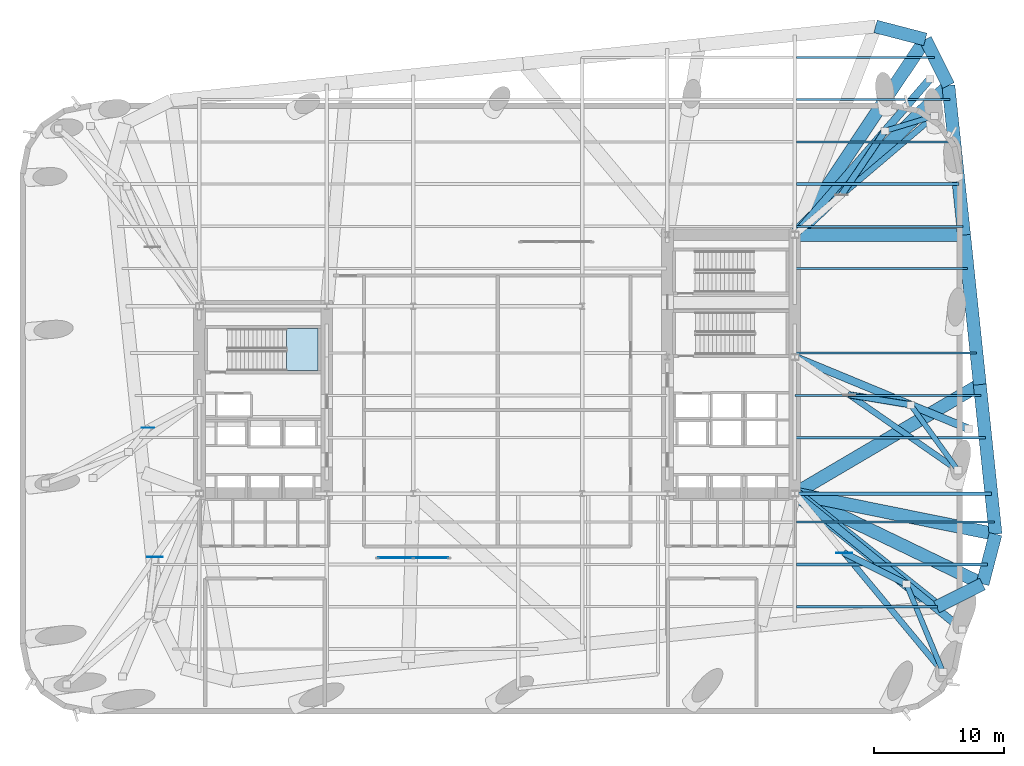
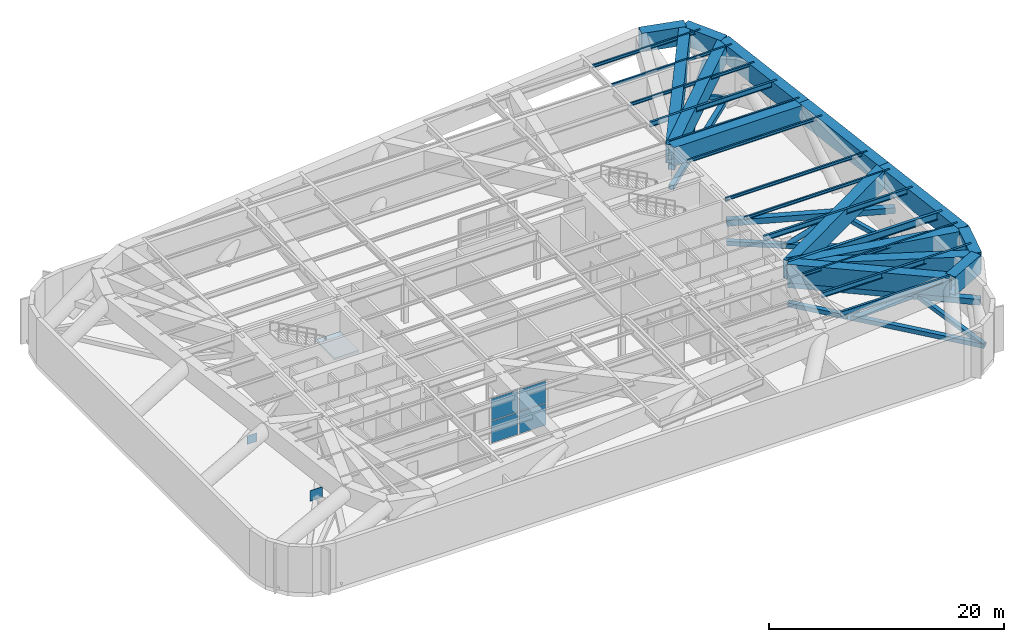
# One storey, part 6 of 16: 27 beams, 12 members, 7 plates, 1 slab, 2 elements without a shape of their own.
"""IFC4 building model written with IfcOpenShell, lengths in metres."""

from ifc_helpers import new_model, si_unit, direction, frame, origin, origin_2d, place, context, subcontext, project, spatial, polyline, rectangle, hollow_rectangle, hollow_circle, i_section, outline, extrude, material, layer, layer_set, material_profile, profile_set, type_object, element, aggregate, save


model = new_model("IFC4")

# Units and contexts
model_context = context("Model", 3, precision=1e-05, world=origin(), true_north=direction((0.0, 1.0)))
body_context = subcontext(model_context, "Body", "Model", "MODEL_VIEW")
ifc_project = project(units=[si_unit("LENGTHUNIT", "METRE"), si_unit("AREAUNIT", "SQUARE_METRE"), si_unit("VOLUMEUNIT", "CUBIC_METRE"), si_unit("PLANEANGLEUNIT", "RADIAN"), si_unit("MASSUNIT", "GRAM", prefix="KILO")], contexts=[model_context])

# Site, building, storey
site_placement = place(None, origin())
site = spatial("IfcSite", under=ifc_project, at=site_placement, CompositionType="ELEMENT")
building_placement = place(site_placement, origin())
building = spatial("IfcBuilding", under=site, at=building_placement, Name="Kolvaren Arena Tower", CompositionType="ELEMENT")
storey_placement = place(building_placement, frame((0.0, 0.0, 94.5)))
storey = spatial("IfcBuildingStorey", under=building, at=storey_placement, Name="L21", CompositionType="ELEMENT", Elevation=94.5)

# Beams
ifc_material_1 = material(Name="Steel CSA G40.21 350W", Category="steel")
ifc_material_profile_1 = material_profile(ifc_material_1, i_section(OverallWidth=0.2119140625, OverallDepth=0.54296875, WebThickness=0.01318359375, FlangeThickness=0.0244140625, FilletRadius=0.013916015625, at=origin_2d()), Name="W530x150")
ifc_profile_set_1 = profile_set([ifc_material_profile_1], Name="Steel CSA G40.21 350W")
beam_type_1 = type_object("IfcBeamType", Name="BEAM-F1", PredefinedType="BEAM", material=ifc_profile_set_1)
beam_1_placement = place(storey_placement, frame((60.485107421875, 10.75, 4.478515625), z_axis=(1.0, 0.0, 0.0), x_axis=(0.0, 1.0, 0.0)))
element("IfcBeam", 1, at=beam_1_placement, inside=storey, type_object=beam_type_1, Name="Composite Floor Beam (L21)", PredefinedType="BEAM", context=body_context, shape_type="SweptSolid", body=[
    extrude(i_section(OverallWidth=0.2119140625, OverallDepth=0.54296875, WebThickness=0.01318359375, FlangeThickness=0.0244140625, FilletRadius=0.013916015625, at=origin_2d()), origin(), (0.0, 0.0, 1.0), 10.819580078125),
])
beam_2_placement = place(storey_placement, frame((60.485107421875, 14.0, 4.478515625), z_axis=(1.0, 0.0, 0.0), x_axis=(0.0, 1.0, 0.0)))
element("IfcBeam", 2, at=beam_2_placement, inside=storey, type_object=beam_type_1, Name="Composite Floor Beam (L21)", PredefinedType="BEAM", context=body_context, shape_type="SweptSolid", body=[
    extrude(i_section(OverallWidth=0.2119140625, OverallDepth=0.54296875, WebThickness=0.01318359375, FlangeThickness=0.0244140625, FilletRadius=0.013916015625, at=origin_2d()), origin(), (0.0, 0.0, 1.0), 14.69677734375),
])
beam_3_placement = place(storey_placement, frame((60.3701171875, 23.75, 4.478515625), z_axis=(1.0, 0.0, 0.0), x_axis=(0.0, 1.0, 0.0)))
element("IfcBeam", 3, at=beam_3_placement, inside=storey, type_object=beam_type_1, Name="Composite Floor Beam (L21)", PredefinedType="BEAM", context=body_context, shape_type="SweptSolid", body=[
    extrude(i_section(OverallWidth=0.2119140625, OverallDepth=0.54296875, WebThickness=0.01318359375, FlangeThickness=0.0244140625, FilletRadius=0.013916015625, at=origin_2d()), origin(), (0.0, 0.0, 1.0), 14.635986328125),
])
beam_4_placement = place(storey_placement, frame((60.485107421875, 43.25, 4.478515625), z_axis=(1.0, 0.0, 0.0), x_axis=(0.0, 1.0, 0.0)))
element("IfcBeam", 4, at=beam_4_placement, inside=storey, type_object=beam_type_1, Name="Composite Floor Beam (L21)", PredefinedType="BEAM", context=body_context, shape_type="SweptSolid", body=[
    extrude(i_section(OverallWidth=0.2119140625, OverallDepth=0.54296875, WebThickness=0.01318359375, FlangeThickness=0.0244140625, FilletRadius=0.013916015625, at=origin_2d()), origin(), (0.0, 0.0, 1.0), 12.471435546875),
])

# Members
ifc_material_2 = material(Name="Steel CSA G40.21 350WT", Category="steel")
ifc_material_profile_2 = material_profile(ifc_material_2, hollow_rectangle(XDim=0.449951171875, YDim=0.449951171875, WallThickness=0.02001953125, at=origin_2d()), Name="HSS 450x450x20")
ifc_profile_set_2 = profile_set([ifc_material_profile_2], Name="Steel CSA G40.21 350WT")
member_type_1 = type_object("IfcMemberType", Name="BELT-CHORD", PredefinedType="CHORD", material=ifc_profile_set_2)
member_1_placement = place(storey_placement, frame((60.35009765625, 19.449951171875, 0.35009765625), z_axis=(0.638698193963, -0.769457352313, 0.0), x_axis=(0.769457352313, 0.638698193963, 0.0)))
element("IfcMember", 5, at=member_1_placement, inside=storey, type_object=member_type_1, Name="Belt Truss Bottom Chord 3 (L21)", PredefinedType="CHORD", context=body_context, shape_type="SweptSolid", body=[
    extrude(hollow_rectangle(XDim=0.449951171875, YDim=0.449951171875, WallThickness=0.02001953125, at=origin_2d()), origin(), (0.0, 0.0, 1.0), 17.83642578125),
])
member_2_placement = place(storey_placement, frame((60.35009765625, 39.35009765625, 0.35009765625), z_axis=(0.761465740556, 0.648205157307, 0.0), x_axis=(-0.648205157307, 0.761465740556, 0.0)))
element("IfcMember", 6, at=member_2_placement, inside=storey, type_object=member_type_1, Name="Belt Truss Bottom Chord 4 (L21)", PredefinedType="CHORD", context=body_context, shape_type="SweptSolid", body=[
    extrude(hollow_rectangle(XDim=0.449951171875, YDim=0.449951171875, WallThickness=0.02001953125, at=origin_2d()), origin(), (0.0, 0.0, 1.0), 14.099609375),
])
member_3_placement = place(storey_placement, frame((60.35009765625, 29.949951171875, 0.35009765625), z_axis=(0.821324613528, -0.570461111043, 0.0), x_axis=(0.570461111043, 0.821324613528, 0.0)))
element("IfcMember", 7, at=member_3_placement, inside=storey, type_object=member_type_1, Name="Belt Truss Bottom Chord 6 (L21)", PredefinedType="CHORD", context=body_context, shape_type="SweptSolid", body=[
    extrude(hollow_rectangle(XDim=0.449951171875, YDim=0.449951171875, WallThickness=0.02001953125, at=origin_2d()), origin(), (0.0, 0.0, 1.0), 15.2734375),
])
ifc_material_profile_3 = material_profile(ifc_material_2, hollow_rectangle(XDim=0.39990234375, YDim=0.39990234375, WallThickness=0.01611328125, at=origin_2d()), Name="HSS 400x400x16")
ifc_profile_set_3 = profile_set([ifc_material_profile_3], Name="Steel CSA G40.21 350WT")
member_type_2 = type_object("IfcMemberType", Name="BELT-DIAG", PredefinedType="BRACE", material=ifc_profile_set_3)
member_4_placement = place(storey_placement, frame((68.928466796875, 12.484375, 2.47998046875), z_axis=(0.369031499504, -0.886444080891, -0.279343236588), x_axis=(0.92319527323, 0.384331221065, 0.0)))
element("IfcMember", 8, at=member_4_placement, inside=storey, type_object=member_type_2, Name="Belt Truss Warren Diagonal C 3 (L21)", PredefinedType="BRACE", context=body_context, shape_type="SweptSolid", body=[
    extrude(hollow_rectangle(XDim=0.39990234375, YDim=0.39990234375, WallThickness=0.01611328125, at=origin_2d()), origin(), (0.0, 0.0, 1.0), 7.62451171875),
])
member_5_placement = place(storey_placement, frame((67.2822265625, 47.343994140625, 2.47998046875), z_axis=(0.843909423706, 0.254115198051, -0.472485291517), x_axis=(-0.288328697846, 0.957531493998, 0.0)))
element("IfcMember", 9, at=member_5_placement, inside=storey, type_object=member_type_2, Name="Belt Truss Warren Diagonal C 4 (L21)", PredefinedType="BRACE", context=body_context, shape_type="SweptSolid", body=[
    extrude(hollow_rectangle(XDim=0.39990234375, YDim=0.39990234375, WallThickness=0.01611328125, at=origin_2d()), origin(), (0.0, 0.0, 1.0), 4.5078125),
])
member_6_placement = place(storey_placement, frame((69.256103515625, 26.26904296875, 2.47998046875), z_axis=(0.554240520614, -0.766520255679, -0.324444360319), x_axis=(0.810356676564, 0.585936905091, 0.0)))
element("IfcMember", 10, at=member_6_placement, inside=storey, type_object=member_type_2, Name="Belt Truss Warren Diagonal C 6 (L21)", PredefinedType="BRACE", context=body_context, shape_type="SweptSolid", body=[
    extrude(hollow_rectangle(XDim=0.39990234375, YDim=0.39990234375, WallThickness=0.01611328125, at=origin_2d()), origin(), (0.0, 0.0, 1.0), 6.564697265625),
])
ifc_material_profile_4 = material_profile(ifc_material_2, hollow_circle(Radius=0.25390625, WallThickness=0.02490234375, at=origin_2d()), Name="CHS 508x25")
ifc_profile_set_4 = profile_set([ifc_material_profile_4], Name="Steel CSA G40.21 350WT")
member_type_3 = type_object("IfcMemberType", Name="EXO-BRACE1", PredefinedType="BRACE", material=ifc_profile_set_4)
member_7_placement = place(storey_placement, frame((64.1474609375, 14.875244140625, 0.35009765625), z_axis=(0.830874195707, -0.415500740365, 0.370144844168), x_axis=(0.447268401367, 0.894399785967, 0.0)))
element("IfcMember", 11, at=member_7_placement, inside=storey, type_object=member_type_3, Name="Outrigger Warren Diagonal B 3 (L21)", PredefinedType="BRACE", context=body_context, shape_type="SweptSolid", body=[
    extrude(hollow_circle(Radius=0.25390625, WallThickness=0.02490234375, at=origin_2d()), origin(), (0.0, 0.0, 1.0), 5.754150390625),
])
member_8_placement = place(storey_placement, frame((63.9287109375, 42.396484375, 0.35009765625), z_axis=(0.528520356252, 0.779736824363, 0.335673528534), x_axis=(-0.827765089764, 0.561074822255, 0.0)))
element("IfcMember", 12, at=member_8_placement, inside=storey, type_object=member_type_3, Name="Outrigger Warren Diagonal B 4 (L21)", PredefinedType="BRACE", context=body_context, shape_type="SweptSolid", body=[
    extrude(hollow_circle(Radius=0.25390625, WallThickness=0.02490234375, at=origin_2d()), origin(), (0.0, 0.0, 1.0), 6.34521484375),
])
member_9_placement = place(storey_placement, frame((64.531494140625, 27.045654296875, 0.35009765625), z_axis=(0.901579645502, -0.148197853056, 0.406437620264), x_axis=(0.162199119031, 0.98675804825, 0.0)))
element("IfcMember", 13, at=member_9_placement, inside=storey, type_object=member_type_3, Name="Outrigger Warren Diagonal B 6 (L21)", PredefinedType="BRACE", context=body_context, shape_type="SweptSolid", body=[
    extrude(hollow_circle(Radius=0.25390625, WallThickness=0.02490234375, at=origin_2d()), origin(), (0.0, 0.0, 1.0), 5.240478515625),
])

# Beams
ifc_material_profile_5 = material_profile(ifc_material_1, i_section(OverallWidth=0.27001953125, OverallDepth=0.77294921875, WebThickness=0.019287109375, FlangeThickness=0.033447265625, FilletRadius=0.01806640625, at=origin_2d()), Name="W760x257")
ifc_profile_set_5 = profile_set([ifc_material_profile_5], Name="Steel CSA G40.21 350W")
beam_type_2 = type_object("IfcBeamType", Name="GIRD-T1", PredefinedType="BEAM", material=ifc_profile_set_5)
beam_5_placement = place(storey_placement, frame((60.35009765625, 19.449951171875, 4.363525390625), z_axis=(1.0, 0.0, 0.0), x_axis=(0.0, 1.0, 0.0)))
element("IfcBeam", 14, at=beam_5_placement, inside=storey, type_object=beam_type_2, Name="Primary Floor Girder (L21)", PredefinedType="BEAM", context=body_context, shape_type="SweptSolid", body=[
    extrude(i_section(OverallWidth=0.27001953125, OverallDepth=0.77294921875, WebThickness=0.019287109375, FlangeThickness=0.033447265625, FilletRadius=0.01806640625, at=origin_2d()), origin(), (0.0, 0.0, 1.0), 15.10791015625),
])
ifc_material_profile_6 = material_profile(ifc_material_1, i_section(OverallWidth=0.1669921875, OverallDepth=0.31689453125, WebThickness=0.007568359375, FlangeThickness=0.01318359375, FilletRadius=0.010009765625, at=origin_2d()), Name="W310x52")
ifc_profile_set_6 = profile_set([ifc_material_profile_6], Name="Steel CSA G40.21 350W")
beam_type_3 = type_object("IfcBeamType", Name="JOIST-02", PredefinedType="JOIST", material=ifc_profile_set_6)
beam_6_placement = place(storey_placement, frame((60.485107421875, 17.25, 4.591552734375), z_axis=(1.0, 0.0, 0.0), x_axis=(0.0, 1.0, 0.0)))
element("IfcBeam", 15, at=beam_6_placement, inside=storey, type_object=beam_type_3, Name="Composite Floor Joist (L21)", PredefinedType="JOIST", context=body_context, shape_type="SweptSolid", body=[
    extrude(i_section(OverallWidth=0.1669921875, OverallDepth=0.31689453125, WebThickness=0.007568359375, FlangeThickness=0.01318359375, FilletRadius=0.010009765625, at=origin_2d()), origin(), (0.0, 0.0, 1.0), 15.2041015625),
])
beam_7_placement = place(storey_placement, frame((60.3701171875, 27.0, 4.591552734375), z_axis=(1.0, 0.0, 0.0), x_axis=(0.0, 1.0, 0.0)))
element("IfcBeam", 16, at=beam_7_placement, inside=storey, type_object=beam_type_3, Name="Composite Floor Joist (L21)", PredefinedType="JOIST", context=body_context, shape_type="SweptSolid", body=[
    extrude(i_section(OverallWidth=0.1669921875, OverallDepth=0.31689453125, WebThickness=0.007568359375, FlangeThickness=0.01318359375, FilletRadius=0.010009765625, at=origin_2d()), origin(), (0.0, 0.0, 1.0), 14.29443359375),
])
beam_8_placement = place(storey_placement, frame((60.3701171875, 30.25, 4.591552734375), z_axis=(1.0, 0.0, 0.0), x_axis=(0.0, 1.0, 0.0)))
element("IfcBeam", 17, at=beam_8_placement, inside=storey, type_object=beam_type_3, Name="Composite Floor Joist (L21)", PredefinedType="JOIST", context=body_context, shape_type="SweptSolid", body=[
    extrude(i_section(OverallWidth=0.1669921875, OverallDepth=0.31689453125, WebThickness=0.007568359375, FlangeThickness=0.01318359375, FilletRadius=0.010009765625, at=origin_2d()), origin(), (0.0, 0.0, 1.0), 13.952880859375),
])
beam_9_placement = place(storey_placement, frame((60.3701171875, 36.75, 4.591552734375), z_axis=(1.0, 0.0, 0.0), x_axis=(0.0, 1.0, 0.0)))
element("IfcBeam", 18, at=beam_9_placement, inside=storey, type_object=beam_type_3, Name="Composite Floor Joist (L21)", PredefinedType="JOIST", context=body_context, shape_type="SweptSolid", body=[
    extrude(i_section(OverallWidth=0.1669921875, OverallDepth=0.31689453125, WebThickness=0.007568359375, FlangeThickness=0.01318359375, FilletRadius=0.010009765625, at=origin_2d()), origin(), (0.0, 0.0, 1.0), 13.269775390625),
])
beam_10_placement = place(storey_placement, frame((60.485107421875, 40.0, 4.591552734375), z_axis=(1.0, 0.0, 0.0), x_axis=(0.0, 1.0, 0.0)))
element("IfcBeam", 19, at=beam_10_placement, inside=storey, type_object=beam_type_3, Name="Composite Floor Joist (L21)", PredefinedType="JOIST", context=body_context, shape_type="SweptSolid", body=[
    extrude(i_section(OverallWidth=0.1669921875, OverallDepth=0.31689453125, WebThickness=0.007568359375, FlangeThickness=0.01318359375, FilletRadius=0.010009765625, at=origin_2d()), origin(), (0.0, 0.0, 1.0), 12.81298828125),
])
beam_11_placement = place(storey_placement, frame((60.485107421875, 46.5, 4.591552734375), z_axis=(1.0, 0.0, 0.0), x_axis=(0.0, 1.0, 0.0)))
element("IfcBeam", 20, at=beam_11_placement, inside=storey, type_object=beam_type_3, Name="Composite Floor Joist (L21)", PredefinedType="JOIST", context=body_context, shape_type="SweptSolid", body=[
    extrude(i_section(OverallWidth=0.1669921875, OverallDepth=0.31689453125, WebThickness=0.007568359375, FlangeThickness=0.01318359375, FilletRadius=0.010009765625, at=origin_2d()), origin(), (0.0, 0.0, 1.0), 12.1298828125),
])
beam_12_placement = place(storey_placement, frame((60.485107421875, 49.75, 4.591552734375), z_axis=(1.0, 0.0, 0.0), x_axis=(0.0, 1.0, 0.0)))
element("IfcBeam", 21, at=beam_12_placement, inside=storey, type_object=beam_type_3, Name="Composite Floor Joist (L21)", PredefinedType="JOIST", context=body_context, shape_type="SweptSolid", body=[
    extrude(i_section(OverallWidth=0.1669921875, OverallDepth=0.31689453125, WebThickness=0.007568359375, FlangeThickness=0.01318359375, FilletRadius=0.010009765625, at=origin_2d()), origin(), (0.0, 0.0, 1.0), 11.788330078125),
])
beam_13_placement = place(storey_placement, frame((60.485107421875, 53.0, 4.591552734375), z_axis=(1.0, 0.0, 0.0), x_axis=(0.0, 1.0, 0.0)))
element("IfcBeam", 22, at=beam_13_placement, inside=storey, type_object=beam_type_3, Name="Composite Floor Joist (L21)", PredefinedType="JOIST", context=body_context, shape_type="SweptSolid", body=[
    extrude(i_section(OverallWidth=0.1669921875, OverallDepth=0.31689453125, WebThickness=0.007568359375, FlangeThickness=0.01318359375, FilletRadius=0.010009765625, at=origin_2d()), origin(), (0.0, 0.0, 1.0), 10.592529296875),
])

# Members
ifc_material_profile_7 = material_profile(ifc_material_2, hollow_rectangle(XDim=0.60009765625, YDim=0.60009765625, WallThickness=0.02490234375, at=origin_2d()), Name="HSS 600x600x25")
ifc_profile_set_7 = profile_set([ifc_material_profile_7], Name="Steel CSA G40.21 350WT")
member_type_4 = type_object("IfcMemberType", Name="OUT-CHORD", PredefinedType="CHORD", material=ifc_profile_set_7)
member_10_placement = place(storey_placement, frame((60.35009765625, 19.449951171875, 2.47998046875), z_axis=(0.776305891509, -0.630356377622, 0.0), x_axis=(0.630356377622, 0.776305891509, 0.0)))
element("IfcMember", 23, at=member_10_placement, inside=storey, type_object=member_type_4, Name="Outrigger Top Chord 3 (L21)", PredefinedType="CHORD", context=body_context, shape_type="SweptSolid", body=[
    extrude(hollow_rectangle(XDim=0.60009765625, YDim=0.60009765625, WallThickness=0.02490234375, at=origin_2d()), origin(), (0.0, 0.0, 1.0), 16.575439453125),
])
member_11_placement = place(storey_placement, frame((60.35009765625, 39.35009765625, 2.47998046875), z_axis=(0.655154804731, 0.755494660364, 0.0), x_axis=(-0.755494660364, 0.655154804731, 0.0)))
element("IfcMember", 24, at=member_11_placement, inside=storey, type_object=member_type_4, Name="Outrigger Top Chord 4 (L21)", PredefinedType="CHORD", context=body_context, shape_type="SweptSolid", body=[
    extrude(hollow_rectangle(XDim=0.60009765625, YDim=0.60009765625, WallThickness=0.02490234375, at=origin_2d()), origin(), (0.0, 0.0, 1.0), 15.871337890625),
])
member_12_placement = place(storey_placement, frame((60.35009765625, 29.949951171875, 2.47998046875), z_axis=(0.924171490563, -0.381977821386, 0.0), x_axis=(0.381977821386, 0.924171490563, 0.0)))
element("IfcMember", 25, at=member_12_placement, inside=storey, type_object=member_type_4, Name="Outrigger Top Chord 6 (L21)", PredefinedType="CHORD", context=body_context, shape_type="SweptSolid", body=[
    extrude(hollow_rectangle(XDim=0.60009765625, YDim=0.60009765625, WallThickness=0.02490234375, at=origin_2d()), origin(), (0.0, 0.0, 1.0), 14.455078125),
])

# Beams
ifc_material_profile_8 = material_profile(ifc_material_2, hollow_rectangle(XDim=1.0, YDim=1.919921875, WallThickness=0.044921875, at=origin_2d()), Name="BOX 1000x1920x45")
ifc_profile_set_8 = profile_set([ifc_material_profile_8], Name="Steel CSA G40.21 350WT")
beam_type_4 = type_object("IfcBeamType", Name="TG-MEGA", PredefinedType="USERDEFINED", material=ifc_profile_set_8)
beam_14_placement = place(storey_placement, frame((71.247314453125, 10.721435546875, 3.7900390625), z_axis=(0.894451843771, 0.44716428656, 0.0), x_axis=(-0.44716428656, 0.894451843771, 0.0)))
element("IfcBeam", 26, at=beam_14_placement, inside=storey, type_object=beam_type_4, Name="Perimeter Transfer Ring Girder 05 (L21)", ObjectType="TRANSFER GIRDER", PredefinedType="USERDEFINED", context=body_context, shape_type="SweptSolid", body=[
    extrude(hollow_rectangle(XDim=1.0, YDim=1.919921875, WallThickness=0.044921875, at=origin_2d()), origin(), (0.0, 0.0, 1.0), 3.9609375),
])
beam_15_placement = place(storey_placement, frame((71.247314453125, 10.721435546875, 3.7900390625), z_axis=(-0.780493356484, 0.625164074852, 0.0), x_axis=(-0.625164074852, -0.780493356484, 0.0)))
element("IfcBeam", 27, at=beam_15_placement, inside=storey, type_object=beam_type_4, Name="Cantilever Block Transfer Girder 05 (L21)", ObjectType="TRANSFER GIRDER", PredefinedType="USERDEFINED", context=body_context, shape_type="SweptSolid", body=[
    extrude(hollow_rectangle(XDim=1.0, YDim=1.919921875, WallThickness=0.044921875, at=origin_2d()), origin(), (0.0, 0.0, 1.0), 13.9619140625),
])
beam_16_placement = place(storey_placement, frame((74.790283203125, 12.49267578125, 3.7900390625), z_axis=(0.251473350892, 0.967864222808, 0.0), x_axis=(-0.967864222808, 0.251473350892, 0.0)))
element("IfcBeam", 28, at=beam_16_placement, inside=storey, type_object=beam_type_4, Name="Perimeter Transfer Ring Girder 06 (L21)", ObjectType="TRANSFER GIRDER", PredefinedType="USERDEFINED", context=body_context, shape_type="SweptSolid", body=[
    extrude(hollow_rectangle(XDim=1.0, YDim=1.919921875, WallThickness=0.044921875, at=origin_2d()), origin(), (0.0, 0.0, 1.0), 3.9609375),
])
beam_17_placement = place(storey_placement, frame((74.790283203125, 12.49267578125, 3.7900390625), z_axis=(-0.900889626424, 0.43404824732, 0.0), x_axis=(-0.43404824732, -0.900889626424, 0.0)))
element("IfcBeam", 29, at=beam_17_placement, inside=storey, type_object=beam_type_4, Name="Cantilever Block Transfer Girder 06 (L21)", ObjectType="TRANSFER GIRDER", PredefinedType="USERDEFINED", context=body_context, shape_type="SweptSolid", body=[
    extrude(hollow_rectangle(XDim=1.0, YDim=1.919921875, WallThickness=0.044921875, at=origin_2d()), origin(), (0.0, 0.0, 1.0), 16.02880859375),
])
beam_18_placement = place(storey_placement, frame((75.786376953125, 16.326416015625, 3.7900390625), z_axis=(-0.104522171998, 0.994522556587, 0.0), x_axis=(-0.994522556587, -0.104522171998, 0.0)))
element("IfcBeam", 30, at=beam_18_placement, inside=storey, type_object=beam_type_4, Name="Perimeter Transfer Ring Girder 07 (L21)", ObjectType="TRANSFER GIRDER", PredefinedType="USERDEFINED", context=body_context, shape_type="SweptSolid", body=[
    extrude(hollow_rectangle(XDim=1.0, YDim=1.919921875, WallThickness=0.044921875, at=origin_2d()), origin(), (0.0, 0.0, 1.0), 11.56689453125),
])
beam_19_placement = place(storey_placement, frame((75.786376953125, 16.326416015625, 3.7900390625), z_axis=(-0.980135179007, 0.198330610028, 0.0), x_axis=(-0.198330610028, -0.980135179007, 0.0)))
element("IfcBeam", 31, at=beam_19_placement, inside=storey, type_object=beam_type_4, Name="Cantilever Block Transfer Girder 07 (L21)", ObjectType="TRANSFER GIRDER", PredefinedType="USERDEFINED", context=body_context, shape_type="SweptSolid", body=[
    extrude(hollow_rectangle(XDim=1.0, YDim=1.919921875, WallThickness=0.044921875, at=origin_2d()), origin(), (0.0, 0.0, 1.0), 15.7490234375),
])
beam_20_placement = place(storey_placement, frame((74.577392578125, 27.829833984375, 3.7900390625), z_axis=(-0.104524366116, 0.994522325988, 0.0), x_axis=(-0.994522325988, -0.104524366116, 0.0)))
element("IfcBeam", 32, at=beam_20_placement, inside=storey, type_object=beam_type_4, Name="Perimeter Transfer Ring Girder 08 (L21)", ObjectType="TRANSFER GIRDER", PredefinedType="USERDEFINED", context=body_context, shape_type="SweptSolid", body=[
    extrude(hollow_rectangle(XDim=1.0, YDim=1.919921875, WallThickness=0.044921875, at=origin_2d()), origin(), (0.0, 0.0, 1.0), 11.566650390625),
])
beam_21_placement = place(storey_placement, frame((74.577392578125, 27.829833984375, 3.7900390625), z_axis=(-0.861645960789, -0.507509840551, 0.0), x_axis=(0.507509840551, -0.861645960789, 0.0)))
element("IfcBeam", 33, at=beam_21_placement, inside=storey, type_object=beam_type_4, Name="Cantilever Block Transfer Girder 08 (L21)", ObjectType="TRANSFER GIRDER", PredefinedType="USERDEFINED", context=body_context, shape_type="SweptSolid", body=[
    extrude(hollow_rectangle(XDim=1.0, YDim=1.919921875, WallThickness=0.044921875, at=origin_2d()), origin(), (0.0, 0.0, 1.0), 16.51171875),
])
beam_22_placement = place(storey_placement, frame((73.368408203125, 39.3330078125, 3.7900390625), z_axis=(-0.104543048399, 0.994520362301, 0.0), x_axis=(-0.994520362301, -0.104543048399, 0.0)))
element("IfcBeam", 34, at=beam_22_placement, inside=storey, type_object=beam_type_4, Name="Perimeter Transfer Ring Girder 09 (L21)", ObjectType="TRANSFER GIRDER", PredefinedType="USERDEFINED", context=body_context, shape_type="SweptSolid", body=[
    extrude(hollow_rectangle(XDim=1.0, YDim=1.919921875, WallThickness=0.044921875, at=origin_2d()), origin(), (0.0, 0.0, 1.0), 11.56689453125),
])
beam_23_placement = place(storey_placement, frame((73.368408203125, 39.3330078125, 3.7900390625), z_axis=(-0.999999138339, 0.001312753215, 0.0), x_axis=(-0.001312753215, -0.999999138339, 0.0)))
element("IfcBeam", 35, at=beam_23_placement, inside=storey, type_object=beam_type_4, Name="Cantilever Block Transfer Girder 09 (L21)", ObjectType="TRANSFER GIRDER", PredefinedType="USERDEFINED", context=body_context, shape_type="SweptSolid", body=[
    extrude(hollow_rectangle(XDim=1.0, YDim=1.919921875, WallThickness=0.044921875, at=origin_2d()), origin(), (0.0, 0.0, 1.0), 13.018310546875),
])
beam_24_placement = place(storey_placement, frame((72.1591796875, 50.83642578125, 3.7900390625), z_axis=(-0.44716428656, 0.894451843771, 0.0), x_axis=(-0.894451843771, -0.44716428656, 0.0)))
element("IfcBeam", 36, at=beam_24_placement, inside=storey, type_object=beam_type_4, Name="Perimeter Transfer Ring Girder 10 (L21)", ObjectType="TRANSFER GIRDER", PredefinedType="USERDEFINED", context=body_context, shape_type="SweptSolid", body=[
    extrude(hollow_rectangle(XDim=1.0, YDim=1.919921875, WallThickness=0.044921875, at=origin_2d()), origin(), (0.0, 0.0, 1.0), 3.9609375),
])
beam_25_placement = place(storey_placement, frame((72.1591796875, 50.83642578125, 3.7900390625), z_axis=(-0.716834827013, -0.697243021321, 0.0), x_axis=(0.697243021321, -0.716834827013, 0.0)))
element("IfcBeam", 37, at=beam_25_placement, inside=storey, type_object=beam_type_4, Name="Cantilever Block Transfer Girder 10 (L21)", ObjectType="TRANSFER GIRDER", PredefinedType="USERDEFINED", context=body_context, shape_type="SweptSolid", body=[
    extrude(hollow_rectangle(XDim=1.0, YDim=1.919921875, WallThickness=0.044921875, at=origin_2d()), origin(), (0.0, 0.0, 1.0), 16.473876953125),
])
beam_26_placement = place(storey_placement, frame((70.387939453125, 54.37939453125, 3.7900390625), z_axis=(-0.967864222808, 0.251473350892, 0.0), x_axis=(-0.251473350892, -0.967864222808, 0.0)))
element("IfcBeam", 38, at=beam_26_placement, inside=storey, type_object=beam_type_4, Name="Perimeter Transfer Ring Girder 11 (L21)", ObjectType="TRANSFER GIRDER", PredefinedType="USERDEFINED", context=body_context, shape_type="SweptSolid", body=[
    extrude(hollow_rectangle(XDim=1.0, YDim=1.919921875, WallThickness=0.044921875, at=origin_2d()), origin(), (0.0, 0.0, 1.0), 3.9609375),
])
beam_27_placement = place(storey_placement, frame((70.387939453125, 54.37939453125, 3.7900390625), z_axis=(-0.555401401293, -0.831582397266, 0.0), x_axis=(0.831582397266, -0.555401401293, 0.0)))
element("IfcBeam", 39, at=beam_27_placement, inside=storey, type_object=beam_type_4, Name="Cantilever Block Transfer Girder 11 (L21)", ObjectType="TRANSFER GIRDER", PredefinedType="USERDEFINED", context=body_context, shape_type="SweptSolid", body=[
    extrude(hollow_rectangle(XDim=1.0, YDim=1.919921875, WallThickness=0.044921875, at=origin_2d()), origin(), (0.0, 0.0, 1.0), 18.0732421875),
])

# Curtain wall, plates
ifc_material_3 = material(Name="Anodised aluminium unitised curtain wall", Category="aluminium")
curtain_wall_type = type_object("IfcCurtainWallType", Name="CW-SYS-05", PredefinedType="USERDEFINED", material=ifc_material_3)
curtain_wall_placement = place(storey_placement, origin())
curtain_wall = element("IfcCurtainWall", 40, at=curtain_wall_placement, inside=storey, type_object=curtain_wall_type, Name="Mechanical Plant Louvre Curtain Wall (L21)", ObjectType="ACOUSTIC LOUVRE SCREEN", PredefinedType="USERDEFINED")
ifc_material_4 = material(Name="Storm-proof anodised aluminium louvre panel", Category="aluminium")
ifc_layer_1 = layer(ifc_material_4, 0.074951171875)
ifc_layer_set_1 = layer_set([ifc_layer_1], Name="Storm-proof anodised aluminium louvre panel")
plate_type_1 = type_object("IfcPlateType", Name="CWP-LVR1", PredefinedType="CURTAIN_PANEL", material=ifc_layer_set_1)
plate_1_placement = place(storey_placement, frame((29.625, 14.5, 0.080078125), z_axis=(0.0, 0.0, 1.0), x_axis=(1.0, 0.0, 0.0)))
plate_1 = element("IfcPlate", 41, at=plate_1_placement, type_object=plate_type_1, Name="CW5 panel 1.1", PredefinedType="CURTAIN_PANEL", context=body_context, shape_type="SweptSolid", body=[
    extrude(rectangle(XDim=2.64990234375, YDim=0.074951171875, at=origin_2d()), origin(), (0.0, 0.0, 1.0), 2.2548828125),
])
plate_2_placement = place(storey_placement, frame((29.625, 14.5, 2.4150390625), z_axis=(0.0, 0.0, 1.0), x_axis=(1.0, 0.0, 0.0)))
plate_2 = element("IfcPlate", 42, at=plate_2_placement, type_object=plate_type_1, Name="CW5 panel 1.2", PredefinedType="CURTAIN_PANEL", context=body_context, shape_type="SweptSolid", body=[
    extrude(rectangle(XDim=2.64990234375, YDim=0.074951171875, at=origin_2d()), origin(), (0.0, 0.0, 1.0), 2.2548828125),
])
plate_3_placement = place(storey_placement, frame((32.375, 14.5, 0.080078125), z_axis=(0.0, 0.0, 1.0), x_axis=(1.0, 0.0, 0.0)))
plate_3 = element("IfcPlate", 43, at=plate_3_placement, type_object=plate_type_1, Name="CW5 panel 2.1", PredefinedType="CURTAIN_PANEL", context=body_context, shape_type="SweptSolid", body=[
    extrude(rectangle(XDim=2.64990234375, YDim=0.074951171875, at=origin_2d()), origin(), (0.0, 0.0, 1.0), 2.2548828125),
])
plate_4_placement = place(storey_placement, frame((32.375, 14.5, 2.4150390625), z_axis=(0.0, 0.0, 1.0), x_axis=(1.0, 0.0, 0.0)))
plate_4 = element("IfcPlate", 44, at=plate_4_placement, type_object=plate_type_1, Name="CW5 panel 2.2", PredefinedType="CURTAIN_PANEL", context=body_context, shape_type="SweptSolid", body=[
    extrude(rectangle(XDim=2.64990234375, YDim=0.074951171875, at=origin_2d()), origin(), (0.0, 0.0, 1.0), 2.2548828125),
])
aggregate(curtain_wall, [plate_1, plate_2, plate_3, plate_4])

# Plates
ifc_layer_2 = layer(ifc_material_2, 0.0380859375)
ifc_layer_set_2 = layer_set([ifc_layer_2], Name="Steel CSA G40.21 350WT")
plate_type_2 = type_object("IfcPlateType", Name="PLT-GUS-B1", PredefinedType="USERDEFINED", material=ifc_layer_set_2)
plate_5_placement = place(storey_placement, frame((10.60498046875, 24.510009765625, 0.199951171875), z_axis=(0.0, 0.0, 1.0), x_axis=(1.0, 0.0, 0.0)))
element("IfcPlate", 45, at=plate_5_placement, inside=storey, type_object=plate_type_2, Name="Outrigger Truss Gusset Plate 5 (L21)", ObjectType="GUSSET PLATE", PredefinedType="USERDEFINED", context=body_context, shape_type="SweptSolid", body=[
    extrude(rectangle(XDim=0.949951171875, YDim=0.0380859375, at=origin_2d()), origin(), (0.0, 0.0, 1.0), 0.89990234375),
])
ifc_layer_3 = layer(ifc_material_2, 0.044921875)
ifc_layer_set_3 = layer_set([ifc_layer_3], Name="Steel CSA G40.21 350WT")
plate_type_3 = type_object("IfcPlateType", Name="PLT-GUS-O1", PredefinedType="USERDEFINED", material=ifc_layer_set_3)
for number, where, z_axis, x_axis, name in (
    (46, (11.147705078125, 14.5537109375, 0.199951171875), (0.0, 0.0, 1.0), (1.0, 0.0, 0.0), "Outrigger Truss Gusset Plate 1 (L21)"),
    (47, (64.1474609375, 14.875244140625, 0.199951171875), (0.0, 0.0, 1.0), (1.0, 0.0, 0.0), "Outrigger Truss Gusset Plate 3 (L21)"),
):
    element("IfcPlate", number, at=place(storey_placement, frame(where, z_axis=z_axis, x_axis=x_axis)), inside=storey, type_object=plate_type_3, Name=name, ObjectType="GUSSET PLATE", PredefinedType="USERDEFINED", context=body_context, shape_type="SweptSolid", body=[
        extrude(rectangle(XDim=1.199951171875, YDim=0.044921875, at=origin_2d()), origin(), (0.0, 0.0, 1.0), 1.10009765625),
    ])

# Stair, slab
ifc_material_5 = material(Name="Concrete 45 MPa", Category="concrete")
stair_type = type_object("IfcStairType", Name="STAIR-CORE-165", PredefinedType="HALF_TURN_STAIR", material=ifc_material_5)
stair_placement = place(storey_placement, origin())
stair = element("IfcStair", 48, at=stair_placement, inside=storey, type_object=stair_type, Name="L21 ST-W1", PredefinedType="HALF_TURN_STAIR")
ifc_layer_4 = layer(ifc_material_5, 0.199951171875)
ifc_layer_set_4 = layer_set([ifc_layer_4], Name="Concrete 45 MPa")
slab_type = type_object("IfcSlabType", Name="SLAB-LAND", PredefinedType="LANDING", material=ifc_layer_set_4)
slab_placement = place(storey_placement, frame((0.0, 0.0, 2.39990234375)))
slab = element("IfcSlab", 49, at=slab_placement, type_object=slab_type, Name="ST-W1 landing 1", PredefinedType="LANDING", context=body_context, shape_type="SweptSolid", body=[
    extrude(outline(polyline([(21.256103515625, 28.89990234375), (23.659912109375, 28.89990234375), (23.659912109375, 32.1298828125), (21.256103515625, 32.1298828125), (21.256103515625, 28.89990234375)])), origin(), (0.0, 0.0, 1.0), 0.2001953125),
])
aggregate(stair, [slab])

save(model, "model.ifc")
